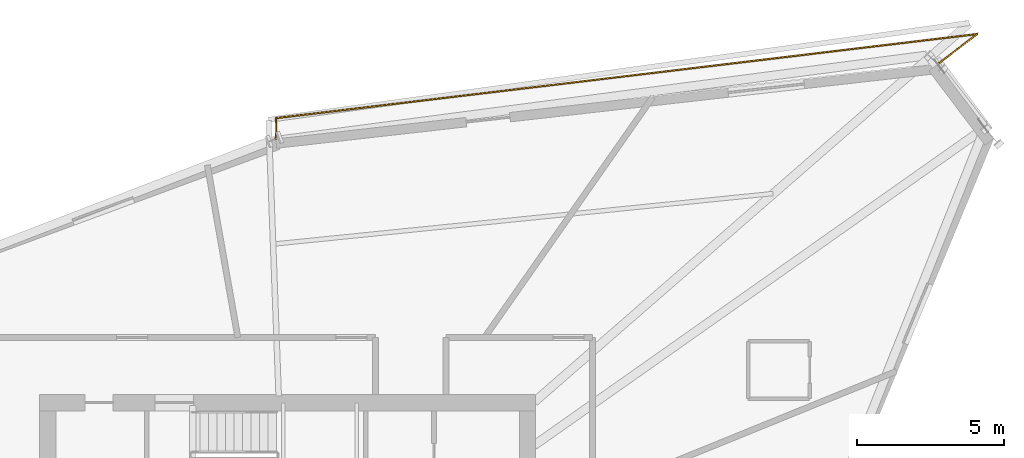
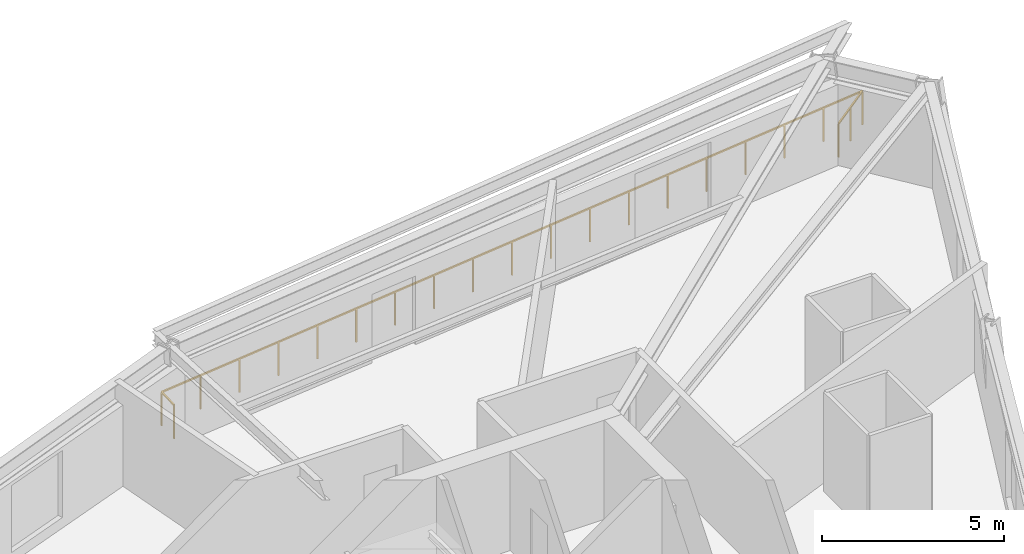
# One storey, part 14 of 14: 1 railing.
"""IFC4 building model written with IfcOpenShell, lengths in metres."""

from ifc_helpers import new_model, si_unit, direction, frame, origin, origin_2d, place, context, subcontext, project, spatial, rectangle, extrude, material, type_object, element, save


model = new_model("IFC4")

# Units and contexts
model_context = context("Model", 3, precision=1e-05, world=origin(), true_north=direction((0.0, 1.0)))
body_context = subcontext(model_context, "Body", "Model", "MODEL_VIEW")
ifc_project = project(units=[si_unit("LENGTHUNIT", "METRE"), si_unit("AREAUNIT", "SQUARE_METRE"), si_unit("VOLUMEUNIT", "CUBIC_METRE"), si_unit("PLANEANGLEUNIT", "RADIAN"), si_unit("MASSUNIT", "GRAM", prefix="KILO")], contexts=[model_context])

# Site, building, storey
site_placement = place(None, origin())
site = spatial("IfcSite", under=ifc_project, at=site_placement, CompositionType="ELEMENT")
building_placement = place(site_placement, origin())
building = spatial("IfcBuilding", under=site, at=building_placement, Name="Olszyna Solenne Hotel", CompositionType="ELEMENT")
storey_placement = place(building_placement, frame((0.0, 0.0, 185.64990234375)))
storey = spatial("IfcBuildingStorey", under=building, at=storey_placement, Name="L49", CompositionType="ELEMENT", Elevation=185.64990234375)

# Railing
ifc_material = material(Name="Anodised bronze aluminium", Category="aluminium")
railing_type = type_object("IfcRailingType", Name="GR-110", PredefinedType="BALUSTRADE", material=ifc_material)
railing_placement = place(storey_placement, frame((60.165283203125, 45.5166015625, 0.0)))
element("IfcRailing", 1, at=railing_placement, inside=storey, type_object=railing_type, Name="Loggia balcony balustrade guard GR-L49-LG1", PredefinedType="BALUSTRADE", context=body_context, shape_type="SweptSolid", body=[
    extrude(rectangle(XDim=0.048095703125, YDim=0.048095703125, at=origin_2d()), frame((0.0, 0.0, 1.1259765625), z_axis=(0.795282625781, 0.606238851552, 0.0), x_axis=(-0.606238851552, 0.795282625781, 0.0)), (0.0, 0.0, 1.0), 1.69189453125),
    extrude(rectangle(XDim=0.048095703125, YDim=0.048095703125, at=origin_2d()), frame((1.345458984375, 1.025634765625, 1.1259765625), z_axis=(-0.99288978792, -0.119037259055, 0.0), x_axis=(0.119037259055, -0.99288978792, 0.0)), (0.0, 0.0, 1.0), 24.076171875),
    extrude(rectangle(XDim=0.048095703125, YDim=0.048095703125, at=origin_2d()), frame((-22.5595703125, -1.84033203125, 1.1259765625), z_axis=(-0.016520980697, -0.999863519285, 0.0), x_axis=(0.999863519285, -0.016520980697, 0.0)), (0.0, 0.0, 1.0), 0.709228515625),
    extrude(rectangle(XDim=0.0419921875, YDim=0.0419921875, at=origin_2d()), origin(), (0.0, 0.0, 1.0), 1.101806640625),
    extrude(rectangle(XDim=0.0419921875, YDim=0.0419921875, at=origin_2d()), frame((0.6728515625, 0.5126953125, 0.0)), (0.0, 0.0, 1.0), 1.101806640625),
    extrude(rectangle(XDim=0.0419921875, YDim=0.0419921875, at=origin_2d()), frame((1.345458984375, 1.025634765625, 0.0)), (0.0, 0.0, 1.0), 1.101806640625),
    extrude(rectangle(XDim=0.0419921875, YDim=0.0419921875, at=origin_2d()), frame((0.017333984375, 0.866455078125, 0.0)), (0.0, 0.0, 1.0), 1.101806640625),
    extrude(rectangle(XDim=0.0419921875, YDim=0.0419921875, at=origin_2d()), frame((-1.310546875, 0.707275390625, 0.0)), (0.0, 0.0, 1.0), 1.101806640625),
    extrude(rectangle(XDim=0.0419921875, YDim=0.0419921875, at=origin_2d()), frame((-2.638671875, 0.5478515625, 0.0)), (0.0, 0.0, 1.0), 1.101806640625),
    extrude(rectangle(XDim=0.0419921875, YDim=0.0419921875, at=origin_2d()), frame((-3.966796875, 0.388671875, 0.0)), (0.0, 0.0, 1.0), 1.101806640625),
    extrude(rectangle(XDim=0.0419921875, YDim=0.0419921875, at=origin_2d()), frame((-5.294921875, 0.2294921875, 0.0)), (0.0, 0.0, 1.0), 1.101806640625),
    extrude(rectangle(XDim=0.0419921875, YDim=0.0419921875, at=origin_2d()), frame((-6.622802734375, 0.0703125, 0.0)), (0.0, 0.0, 1.0), 1.101806640625),
    extrude(rectangle(XDim=0.0419921875, YDim=0.0419921875, at=origin_2d()), frame((-7.950927734375, -0.0888671875, 0.0)), (0.0, 0.0, 1.0), 1.101806640625),
    extrude(rectangle(XDim=0.0419921875, YDim=0.0419921875, at=origin_2d()), frame((-9.279052734375, -0.248046875, 0.0)), (0.0, 0.0, 1.0), 1.101806640625),
    extrude(rectangle(XDim=0.0419921875, YDim=0.0419921875, at=origin_2d()), frame((-10.60693359375, -0.4072265625, 0.0)), (0.0, 0.0, 1.0), 1.101806640625),
    extrude(rectangle(XDim=0.0419921875, YDim=0.0419921875, at=origin_2d()), frame((-11.93505859375, -0.566650390625, 0.0)), (0.0, 0.0, 1.0), 1.101806640625),
    extrude(rectangle(XDim=0.0419921875, YDim=0.0419921875, at=origin_2d()), frame((-13.26318359375, -0.725830078125, 0.0)), (0.0, 0.0, 1.0), 1.101806640625),
    extrude(rectangle(XDim=0.0419921875, YDim=0.0419921875, at=origin_2d()), frame((-14.59130859375, -0.885009765625, 0.0)), (0.0, 0.0, 1.0), 1.101806640625),
    extrude(rectangle(XDim=0.0419921875, YDim=0.0419921875, at=origin_2d()), frame((-15.919189453125, -1.044189453125, 0.0)), (0.0, 0.0, 1.0), 1.101806640625),
    extrude(rectangle(XDim=0.0419921875, YDim=0.0419921875, at=origin_2d()), frame((-17.247314453125, -1.203369140625, 0.0)), (0.0, 0.0, 1.0), 1.101806640625),
    extrude(rectangle(XDim=0.0419921875, YDim=0.0419921875, at=origin_2d()), frame((-18.575439453125, -1.36279296875, 0.0)), (0.0, 0.0, 1.0), 1.101806640625),
    extrude(rectangle(XDim=0.0419921875, YDim=0.0419921875, at=origin_2d()), frame((-19.903564453125, -1.52197265625, 0.0)), (0.0, 0.0, 1.0), 1.101806640625),
    extrude(rectangle(XDim=0.0419921875, YDim=0.0419921875, at=origin_2d()), frame((-21.2314453125, -1.68115234375, 0.0)), (0.0, 0.0, 1.0), 1.101806640625),
    extrude(rectangle(XDim=0.0419921875, YDim=0.0419921875, at=origin_2d()), frame((-22.5595703125, -1.84033203125, 0.0)), (0.0, 0.0, 1.0), 1.101806640625),
    extrude(rectangle(XDim=0.0419921875, YDim=0.0419921875, at=origin_2d()), frame((-22.5712890625, -2.549560546875, 0.0)), (0.0, 0.0, 1.0), 1.101806640625),
])

save(model, "model.ifc")
